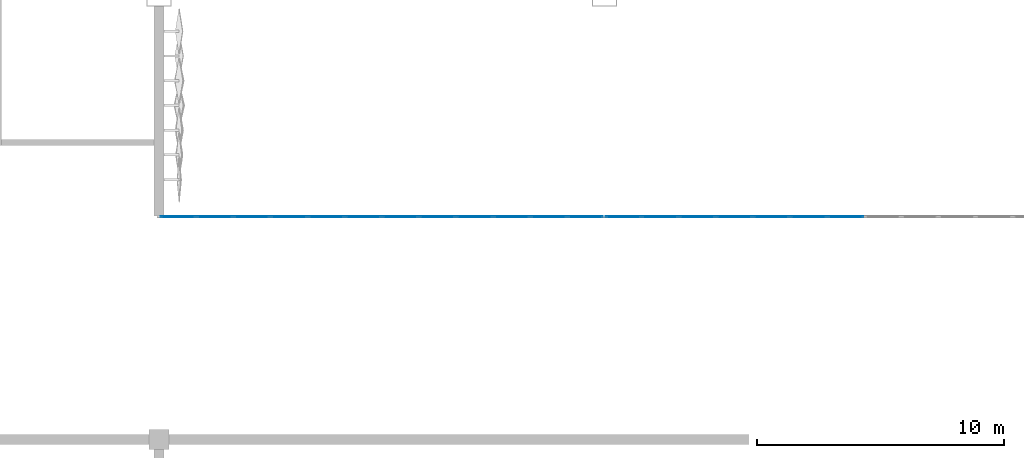
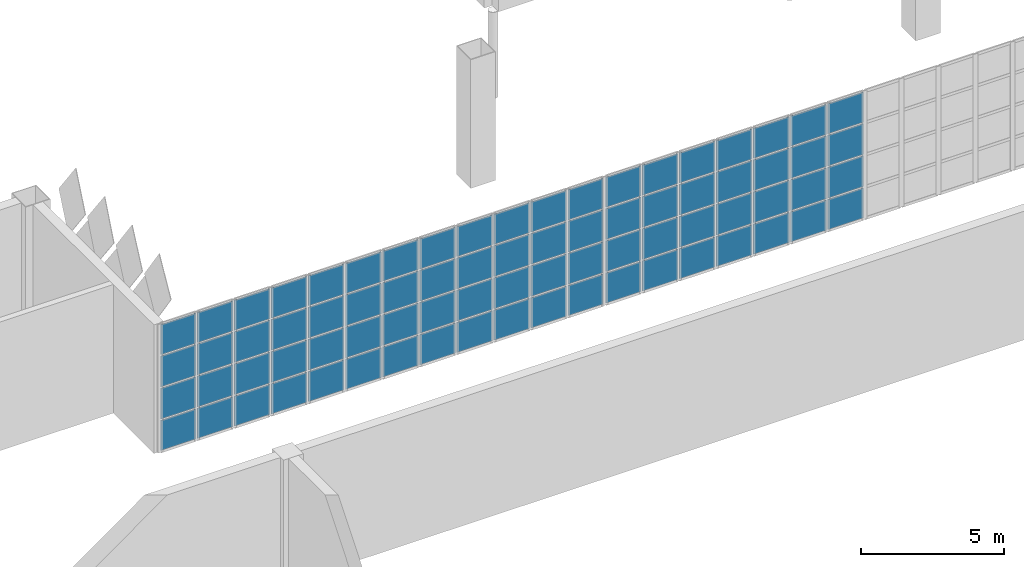
# One storey, part 91 of 185: 76 plates, 2 elements without a shape of their own.
"""IFC4 building model written with IfcOpenShell, lengths in metres."""

from ifc_helpers import new_model, si_unit, direction, frame, origin, origin_2d, place, context, subcontext, project, spatial, rectangle, extrude, material, layer, layer_set, type_object, element, aggregate, save


model = new_model("IFC4")

# Units and contexts
model_context = context("Model", 3, precision=1e-05, world=origin(), true_north=direction((0.0, 1.0)))
body_context = subcontext(model_context, "Body", "Model", "MODEL_VIEW")
ifc_project = project(units=[si_unit("LENGTHUNIT", "METRE"), si_unit("AREAUNIT", "SQUARE_METRE"), si_unit("VOLUMEUNIT", "CUBIC_METRE"), si_unit("PLANEANGLEUNIT", "RADIAN"), si_unit("MASSUNIT", "GRAM", prefix="KILO")], contexts=[model_context])

# Site, building, storey
site_placement = place(None, origin())
site = spatial("IfcSite", under=ifc_project, at=site_placement, CompositionType="ELEMENT")
building_placement = place(site_placement, origin())
building = spatial("IfcBuilding", under=site, at=building_placement, Name="Opaline Strait Convention Centre", CompositionType="ELEMENT")
storey_placement = place(building_placement, frame((0.0, 0.0, 6.0)))
storey = spatial("IfcBuildingStorey", under=building, at=storey_placement, Name="L01", CompositionType="ELEMENT", Elevation=6.0)

# Curtain wall, plates
ifc_material_1 = material(Name="Aluminium framed glazing", Category="aluminium")
ifc_layer_1 = layer(ifc_material_1, 0.199951171875)
ifc_layer_set_1 = layer_set([ifc_layer_1], Name="Aluminium framed glazing")
curtain_wall_type = type_object("IfcCurtainWallType", Name="Entrance curtain wall 1500", PredefinedType="NOTDEFINED", material=ifc_layer_set_1)
curtain_wall_1_placement = place(storey_placement, origin())
curtain_wall_1 = element("IfcCurtainWall", 1, at=curtain_wall_1_placement, inside=storey, type_object=curtain_wall_type, Name="Entrance curtain wall L01-R1", PredefinedType="NOTDEFINED")
ifc_material_2 = material(Name="Double glazed unit low emissivity", Category="glass")
ifc_layer_2 = layer(ifc_material_2, 0.028076171875)
ifc_layer_set_2 = layer_set([ifc_layer_2], Name="Double glazed unit low emissivity")
plate_type = type_object("IfcPlateType", Name="Curtain wall glass panel 28", PredefinedType="CURTAIN_PANEL", material=ifc_layer_set_2)
plate_1_placement = place(storey_placement, frame((153.764892578125, 144.0, 0.06005859375), z_axis=(0.0, 0.0, 1.0), x_axis=(1.0, 0.0, 0.0)))
plate_1 = element("IfcPlate", 2, at=plate_1_placement, type_object=plate_type, Name="XCW panel 1.1", PredefinedType="CURTAIN_PANEL", context=body_context, shape_type="SweptSolid", body=[
    extrude(rectangle(XDim=1.409912109375, YDim=0.028076171875, at=origin_2d()), origin(), (0.0, 0.0, 1.0), 1.284912109375),
])
plate_2_placement = place(storey_placement, frame((153.764892578125, 144.0, 1.405029296875), z_axis=(0.0, 0.0, 1.0), x_axis=(1.0, 0.0, 0.0)))
plate_2 = element("IfcPlate", 3, at=plate_2_placement, type_object=plate_type, Name="XCW panel 1.2", PredefinedType="CURTAIN_PANEL", context=body_context, shape_type="SweptSolid", body=[
    extrude(rectangle(XDim=1.409912109375, YDim=0.028076171875, at=origin_2d()), origin(), (0.0, 0.0, 1.0), 1.31494140625),
])
plate_3_placement = place(storey_placement, frame((153.764892578125, 144.0, 2.780029296875), z_axis=(0.0, 0.0, 1.0), x_axis=(1.0, 0.0, 0.0)))
plate_3 = element("IfcPlate", 4, at=plate_3_placement, type_object=plate_type, Name="XCW panel 1.3", PredefinedType="CURTAIN_PANEL", context=body_context, shape_type="SweptSolid", body=[
    extrude(rectangle(XDim=1.409912109375, YDim=0.028076171875, at=origin_2d()), origin(), (0.0, 0.0, 1.0), 1.31494140625),
])
plate_4_placement = place(storey_placement, frame((153.764892578125, 144.0, 4.1552734375), z_axis=(0.0, 0.0, 1.0), x_axis=(1.0, 0.0, 0.0)))
plate_4 = element("IfcPlate", 5, at=plate_4_placement, type_object=plate_type, Name="XCW panel 1.4", PredefinedType="CURTAIN_PANEL", context=body_context, shape_type="SweptSolid", body=[
    extrude(rectangle(XDim=1.409912109375, YDim=0.028076171875, at=origin_2d()), origin(), (0.0, 0.0, 1.0), 1.284912109375),
])
plate_5_placement = place(storey_placement, frame((155.25, 144.0, 0.06005859375), z_axis=(0.0, 0.0, 1.0), x_axis=(1.0, 0.0, 0.0)))
plate_5 = element("IfcPlate", 6, at=plate_5_placement, type_object=plate_type, Name="XCW panel 2.1", PredefinedType="CURTAIN_PANEL", context=body_context, shape_type="SweptSolid", body=[
    extrude(rectangle(XDim=1.43994140625, YDim=0.028076171875, at=origin_2d()), origin(), (0.0, 0.0, 1.0), 1.284912109375),
])
plate_6_placement = place(storey_placement, frame((155.25, 144.0, 1.405029296875), z_axis=(0.0, 0.0, 1.0), x_axis=(1.0, 0.0, 0.0)))
plate_6 = element("IfcPlate", 7, at=plate_6_placement, type_object=plate_type, Name="XCW panel 2.2", PredefinedType="CURTAIN_PANEL", context=body_context, shape_type="SweptSolid", body=[
    extrude(rectangle(XDim=1.43994140625, YDim=0.028076171875, at=origin_2d()), origin(), (0.0, 0.0, 1.0), 1.31494140625),
])
plate_7_placement = place(storey_placement, frame((155.25, 144.0, 2.780029296875), z_axis=(0.0, 0.0, 1.0), x_axis=(1.0, 0.0, 0.0)))
plate_7 = element("IfcPlate", 8, at=plate_7_placement, type_object=plate_type, Name="XCW panel 2.3", PredefinedType="CURTAIN_PANEL", context=body_context, shape_type="SweptSolid", body=[
    extrude(rectangle(XDim=1.43994140625, YDim=0.028076171875, at=origin_2d()), origin(), (0.0, 0.0, 1.0), 1.31494140625),
])
plate_8_placement = place(storey_placement, frame((155.25, 144.0, 4.1552734375), z_axis=(0.0, 0.0, 1.0), x_axis=(1.0, 0.0, 0.0)))
plate_8 = element("IfcPlate", 9, at=plate_8_placement, type_object=plate_type, Name="XCW panel 2.4", PredefinedType="CURTAIN_PANEL", context=body_context, shape_type="SweptSolid", body=[
    extrude(rectangle(XDim=1.43994140625, YDim=0.028076171875, at=origin_2d()), origin(), (0.0, 0.0, 1.0), 1.284912109375),
])
plate_9_placement = place(storey_placement, frame((156.75, 144.0, 0.06005859375), z_axis=(0.0, 0.0, 1.0), x_axis=(1.0, 0.0, 0.0)))
plate_9 = element("IfcPlate", 10, at=plate_9_placement, type_object=plate_type, Name="XCW panel 3.1", PredefinedType="CURTAIN_PANEL", context=body_context, shape_type="SweptSolid", body=[
    extrude(rectangle(XDim=1.43994140625, YDim=0.028076171875, at=origin_2d()), origin(), (0.0, 0.0, 1.0), 1.284912109375),
])
plate_10_placement = place(storey_placement, frame((156.75, 144.0, 1.405029296875), z_axis=(0.0, 0.0, 1.0), x_axis=(1.0, 0.0, 0.0)))
plate_10 = element("IfcPlate", 11, at=plate_10_placement, type_object=plate_type, Name="XCW panel 3.2", PredefinedType="CURTAIN_PANEL", context=body_context, shape_type="SweptSolid", body=[
    extrude(rectangle(XDim=1.43994140625, YDim=0.028076171875, at=origin_2d()), origin(), (0.0, 0.0, 1.0), 1.31494140625),
])
plate_11_placement = place(storey_placement, frame((156.75, 144.0, 2.780029296875), z_axis=(0.0, 0.0, 1.0), x_axis=(1.0, 0.0, 0.0)))
plate_11 = element("IfcPlate", 12, at=plate_11_placement, type_object=plate_type, Name="XCW panel 3.3", PredefinedType="CURTAIN_PANEL", context=body_context, shape_type="SweptSolid", body=[
    extrude(rectangle(XDim=1.43994140625, YDim=0.028076171875, at=origin_2d()), origin(), (0.0, 0.0, 1.0), 1.31494140625),
])
plate_12_placement = place(storey_placement, frame((156.75, 144.0, 4.1552734375), z_axis=(0.0, 0.0, 1.0), x_axis=(1.0, 0.0, 0.0)))
plate_12 = element("IfcPlate", 13, at=plate_12_placement, type_object=plate_type, Name="XCW panel 3.4", PredefinedType="CURTAIN_PANEL", context=body_context, shape_type="SweptSolid", body=[
    extrude(rectangle(XDim=1.43994140625, YDim=0.028076171875, at=origin_2d()), origin(), (0.0, 0.0, 1.0), 1.284912109375),
])
plate_13_placement = place(storey_placement, frame((158.25, 144.0, 0.06005859375), z_axis=(0.0, 0.0, 1.0), x_axis=(1.0, 0.0, 0.0)))
plate_13 = element("IfcPlate", 14, at=plate_13_placement, type_object=plate_type, Name="XCW panel 4.1", PredefinedType="CURTAIN_PANEL", context=body_context, shape_type="SweptSolid", body=[
    extrude(rectangle(XDim=1.43994140625, YDim=0.028076171875, at=origin_2d()), origin(), (0.0, 0.0, 1.0), 1.284912109375),
])
plate_14_placement = place(storey_placement, frame((158.25, 144.0, 1.405029296875), z_axis=(0.0, 0.0, 1.0), x_axis=(1.0, 0.0, 0.0)))
plate_14 = element("IfcPlate", 15, at=plate_14_placement, type_object=plate_type, Name="XCW panel 4.2", PredefinedType="CURTAIN_PANEL", context=body_context, shape_type="SweptSolid", body=[
    extrude(rectangle(XDim=1.43994140625, YDim=0.028076171875, at=origin_2d()), origin(), (0.0, 0.0, 1.0), 1.31494140625),
])
plate_15_placement = place(storey_placement, frame((158.25, 144.0, 2.780029296875), z_axis=(0.0, 0.0, 1.0), x_axis=(1.0, 0.0, 0.0)))
plate_15 = element("IfcPlate", 16, at=plate_15_placement, type_object=plate_type, Name="XCW panel 4.3", PredefinedType="CURTAIN_PANEL", context=body_context, shape_type="SweptSolid", body=[
    extrude(rectangle(XDim=1.43994140625, YDim=0.028076171875, at=origin_2d()), origin(), (0.0, 0.0, 1.0), 1.31494140625),
])
plate_16_placement = place(storey_placement, frame((158.25, 144.0, 4.1552734375), z_axis=(0.0, 0.0, 1.0), x_axis=(1.0, 0.0, 0.0)))
plate_16 = element("IfcPlate", 17, at=plate_16_placement, type_object=plate_type, Name="XCW panel 4.4", PredefinedType="CURTAIN_PANEL", context=body_context, shape_type="SweptSolid", body=[
    extrude(rectangle(XDim=1.43994140625, YDim=0.028076171875, at=origin_2d()), origin(), (0.0, 0.0, 1.0), 1.284912109375),
])
plate_17_placement = place(storey_placement, frame((159.75, 144.0, 0.06005859375), z_axis=(0.0, 0.0, 1.0), x_axis=(1.0, 0.0, 0.0)))
plate_17 = element("IfcPlate", 18, at=plate_17_placement, type_object=plate_type, Name="XCW panel 5.1", PredefinedType="CURTAIN_PANEL", context=body_context, shape_type="SweptSolid", body=[
    extrude(rectangle(XDim=1.43994140625, YDim=0.028076171875, at=origin_2d()), origin(), (0.0, 0.0, 1.0), 1.284912109375),
])
plate_18_placement = place(storey_placement, frame((159.75, 144.0, 1.405029296875), z_axis=(0.0, 0.0, 1.0), x_axis=(1.0, 0.0, 0.0)))
plate_18 = element("IfcPlate", 19, at=plate_18_placement, type_object=plate_type, Name="XCW panel 5.2", PredefinedType="CURTAIN_PANEL", context=body_context, shape_type="SweptSolid", body=[
    extrude(rectangle(XDim=1.43994140625, YDim=0.028076171875, at=origin_2d()), origin(), (0.0, 0.0, 1.0), 1.31494140625),
])
plate_19_placement = place(storey_placement, frame((159.75, 144.0, 2.780029296875), z_axis=(0.0, 0.0, 1.0), x_axis=(1.0, 0.0, 0.0)))
plate_19 = element("IfcPlate", 20, at=plate_19_placement, type_object=plate_type, Name="XCW panel 5.3", PredefinedType="CURTAIN_PANEL", context=body_context, shape_type="SweptSolid", body=[
    extrude(rectangle(XDim=1.43994140625, YDim=0.028076171875, at=origin_2d()), origin(), (0.0, 0.0, 1.0), 1.31494140625),
])
plate_20_placement = place(storey_placement, frame((159.75, 144.0, 4.1552734375), z_axis=(0.0, 0.0, 1.0), x_axis=(1.0, 0.0, 0.0)))
plate_20 = element("IfcPlate", 21, at=plate_20_placement, type_object=plate_type, Name="XCW panel 5.4", PredefinedType="CURTAIN_PANEL", context=body_context, shape_type="SweptSolid", body=[
    extrude(rectangle(XDim=1.43994140625, YDim=0.028076171875, at=origin_2d()), origin(), (0.0, 0.0, 1.0), 1.284912109375),
])
plate_21_placement = place(storey_placement, frame((161.25, 144.0, 0.06005859375), z_axis=(0.0, 0.0, 1.0), x_axis=(1.0, 0.0, 0.0)))
plate_21 = element("IfcPlate", 22, at=plate_21_placement, type_object=plate_type, Name="XCW panel 6.1", PredefinedType="CURTAIN_PANEL", context=body_context, shape_type="SweptSolid", body=[
    extrude(rectangle(XDim=1.43994140625, YDim=0.028076171875, at=origin_2d()), origin(), (0.0, 0.0, 1.0), 1.284912109375),
])
plate_22_placement = place(storey_placement, frame((161.25, 144.0, 1.405029296875), z_axis=(0.0, 0.0, 1.0), x_axis=(1.0, 0.0, 0.0)))
plate_22 = element("IfcPlate", 23, at=plate_22_placement, type_object=plate_type, Name="XCW panel 6.2", PredefinedType="CURTAIN_PANEL", context=body_context, shape_type="SweptSolid", body=[
    extrude(rectangle(XDim=1.43994140625, YDim=0.028076171875, at=origin_2d()), origin(), (0.0, 0.0, 1.0), 1.31494140625),
])
plate_23_placement = place(storey_placement, frame((161.25, 144.0, 2.780029296875), z_axis=(0.0, 0.0, 1.0), x_axis=(1.0, 0.0, 0.0)))
plate_23 = element("IfcPlate", 24, at=plate_23_placement, type_object=plate_type, Name="XCW panel 6.3", PredefinedType="CURTAIN_PANEL", context=body_context, shape_type="SweptSolid", body=[
    extrude(rectangle(XDim=1.43994140625, YDim=0.028076171875, at=origin_2d()), origin(), (0.0, 0.0, 1.0), 1.31494140625),
])
plate_24_placement = place(storey_placement, frame((161.25, 144.0, 4.1552734375), z_axis=(0.0, 0.0, 1.0), x_axis=(1.0, 0.0, 0.0)))
plate_24 = element("IfcPlate", 25, at=plate_24_placement, type_object=plate_type, Name="XCW panel 6.4", PredefinedType="CURTAIN_PANEL", context=body_context, shape_type="SweptSolid", body=[
    extrude(rectangle(XDim=1.43994140625, YDim=0.028076171875, at=origin_2d()), origin(), (0.0, 0.0, 1.0), 1.284912109375),
])
plate_25_placement = place(storey_placement, frame((162.75, 144.0, 0.06005859375), z_axis=(0.0, 0.0, 1.0), x_axis=(1.0, 0.0, 0.0)))
plate_25 = element("IfcPlate", 26, at=plate_25_placement, type_object=plate_type, Name="XCW panel 7.1", PredefinedType="CURTAIN_PANEL", context=body_context, shape_type="SweptSolid", body=[
    extrude(rectangle(XDim=1.43994140625, YDim=0.028076171875, at=origin_2d()), origin(), (0.0, 0.0, 1.0), 1.284912109375),
])
plate_26_placement = place(storey_placement, frame((162.75, 144.0, 1.405029296875), z_axis=(0.0, 0.0, 1.0), x_axis=(1.0, 0.0, 0.0)))
plate_26 = element("IfcPlate", 27, at=plate_26_placement, type_object=plate_type, Name="XCW panel 7.2", PredefinedType="CURTAIN_PANEL", context=body_context, shape_type="SweptSolid", body=[
    extrude(rectangle(XDim=1.43994140625, YDim=0.028076171875, at=origin_2d()), origin(), (0.0, 0.0, 1.0), 1.31494140625),
])
plate_27_placement = place(storey_placement, frame((162.75, 144.0, 2.780029296875), z_axis=(0.0, 0.0, 1.0), x_axis=(1.0, 0.0, 0.0)))
plate_27 = element("IfcPlate", 28, at=plate_27_placement, type_object=plate_type, Name="XCW panel 7.3", PredefinedType="CURTAIN_PANEL", context=body_context, shape_type="SweptSolid", body=[
    extrude(rectangle(XDim=1.43994140625, YDim=0.028076171875, at=origin_2d()), origin(), (0.0, 0.0, 1.0), 1.31494140625),
])
plate_28_placement = place(storey_placement, frame((162.75, 144.0, 4.1552734375), z_axis=(0.0, 0.0, 1.0), x_axis=(1.0, 0.0, 0.0)))
plate_28 = element("IfcPlate", 29, at=plate_28_placement, type_object=plate_type, Name="XCW panel 7.4", PredefinedType="CURTAIN_PANEL", context=body_context, shape_type="SweptSolid", body=[
    extrude(rectangle(XDim=1.43994140625, YDim=0.028076171875, at=origin_2d()), origin(), (0.0, 0.0, 1.0), 1.284912109375),
])
plate_29_placement = place(storey_placement, frame((164.25, 144.0, 0.06005859375), z_axis=(0.0, 0.0, 1.0), x_axis=(1.0, 0.0, 0.0)))
plate_29 = element("IfcPlate", 30, at=plate_29_placement, type_object=plate_type, Name="XCW panel 8.1", PredefinedType="CURTAIN_PANEL", context=body_context, shape_type="SweptSolid", body=[
    extrude(rectangle(XDim=1.43994140625, YDim=0.028076171875, at=origin_2d()), origin(), (0.0, 0.0, 1.0), 1.284912109375),
])
plate_30_placement = place(storey_placement, frame((164.25, 144.0, 1.405029296875), z_axis=(0.0, 0.0, 1.0), x_axis=(1.0, 0.0, 0.0)))
plate_30 = element("IfcPlate", 31, at=plate_30_placement, type_object=plate_type, Name="XCW panel 8.2", PredefinedType="CURTAIN_PANEL", context=body_context, shape_type="SweptSolid", body=[
    extrude(rectangle(XDim=1.43994140625, YDim=0.028076171875, at=origin_2d()), origin(), (0.0, 0.0, 1.0), 1.31494140625),
])
plate_31_placement = place(storey_placement, frame((164.25, 144.0, 2.780029296875), z_axis=(0.0, 0.0, 1.0), x_axis=(1.0, 0.0, 0.0)))
plate_31 = element("IfcPlate", 32, at=plate_31_placement, type_object=plate_type, Name="XCW panel 8.3", PredefinedType="CURTAIN_PANEL", context=body_context, shape_type="SweptSolid", body=[
    extrude(rectangle(XDim=1.43994140625, YDim=0.028076171875, at=origin_2d()), origin(), (0.0, 0.0, 1.0), 1.31494140625),
])
plate_32_placement = place(storey_placement, frame((164.25, 144.0, 4.1552734375), z_axis=(0.0, 0.0, 1.0), x_axis=(1.0, 0.0, 0.0)))
plate_32 = element("IfcPlate", 33, at=plate_32_placement, type_object=plate_type, Name="XCW panel 8.4", PredefinedType="CURTAIN_PANEL", context=body_context, shape_type="SweptSolid", body=[
    extrude(rectangle(XDim=1.43994140625, YDim=0.028076171875, at=origin_2d()), origin(), (0.0, 0.0, 1.0), 1.284912109375),
])
plate_33_placement = place(storey_placement, frame((165.75, 144.0, 0.06005859375), z_axis=(0.0, 0.0, 1.0), x_axis=(1.0, 0.0, 0.0)))
plate_33 = element("IfcPlate", 34, at=plate_33_placement, type_object=plate_type, Name="XCW panel 9.1", PredefinedType="CURTAIN_PANEL", context=body_context, shape_type="SweptSolid", body=[
    extrude(rectangle(XDim=1.43994140625, YDim=0.028076171875, at=origin_2d()), origin(), (0.0, 0.0, 1.0), 1.284912109375),
])
plate_34_placement = place(storey_placement, frame((165.75, 144.0, 1.405029296875), z_axis=(0.0, 0.0, 1.0), x_axis=(1.0, 0.0, 0.0)))
plate_34 = element("IfcPlate", 35, at=plate_34_placement, type_object=plate_type, Name="XCW panel 9.2", PredefinedType="CURTAIN_PANEL", context=body_context, shape_type="SweptSolid", body=[
    extrude(rectangle(XDim=1.43994140625, YDim=0.028076171875, at=origin_2d()), origin(), (0.0, 0.0, 1.0), 1.31494140625),
])
plate_35_placement = place(storey_placement, frame((165.75, 144.0, 2.780029296875), z_axis=(0.0, 0.0, 1.0), x_axis=(1.0, 0.0, 0.0)))
plate_35 = element("IfcPlate", 36, at=plate_35_placement, type_object=plate_type, Name="XCW panel 9.3", PredefinedType="CURTAIN_PANEL", context=body_context, shape_type="SweptSolid", body=[
    extrude(rectangle(XDim=1.43994140625, YDim=0.028076171875, at=origin_2d()), origin(), (0.0, 0.0, 1.0), 1.31494140625),
])
plate_36_placement = place(storey_placement, frame((165.75, 144.0, 4.1552734375), z_axis=(0.0, 0.0, 1.0), x_axis=(1.0, 0.0, 0.0)))
plate_36 = element("IfcPlate", 37, at=plate_36_placement, type_object=plate_type, Name="XCW panel 9.4", PredefinedType="CURTAIN_PANEL", context=body_context, shape_type="SweptSolid", body=[
    extrude(rectangle(XDim=1.43994140625, YDim=0.028076171875, at=origin_2d()), origin(), (0.0, 0.0, 1.0), 1.284912109375),
])
plate_37_placement = place(storey_placement, frame((167.25, 144.0, 0.06005859375), z_axis=(0.0, 0.0, 1.0), x_axis=(1.0, 0.0, 0.0)))
plate_37 = element("IfcPlate", 38, at=plate_37_placement, type_object=plate_type, Name="XCW panel 10.1", PredefinedType="CURTAIN_PANEL", context=body_context, shape_type="SweptSolid", body=[
    extrude(rectangle(XDim=1.43994140625, YDim=0.028076171875, at=origin_2d()), origin(), (0.0, 0.0, 1.0), 1.284912109375),
])
plate_38_placement = place(storey_placement, frame((167.25, 144.0, 1.405029296875), z_axis=(0.0, 0.0, 1.0), x_axis=(1.0, 0.0, 0.0)))
plate_38 = element("IfcPlate", 39, at=plate_38_placement, type_object=plate_type, Name="XCW panel 10.2", PredefinedType="CURTAIN_PANEL", context=body_context, shape_type="SweptSolid", body=[
    extrude(rectangle(XDim=1.43994140625, YDim=0.028076171875, at=origin_2d()), origin(), (0.0, 0.0, 1.0), 1.31494140625),
])
plate_39_placement = place(storey_placement, frame((167.25, 144.0, 2.780029296875), z_axis=(0.0, 0.0, 1.0), x_axis=(1.0, 0.0, 0.0)))
plate_39 = element("IfcPlate", 40, at=plate_39_placement, type_object=plate_type, Name="XCW panel 10.3", PredefinedType="CURTAIN_PANEL", context=body_context, shape_type="SweptSolid", body=[
    extrude(rectangle(XDim=1.43994140625, YDim=0.028076171875, at=origin_2d()), origin(), (0.0, 0.0, 1.0), 1.31494140625),
])
plate_40_placement = place(storey_placement, frame((167.25, 144.0, 4.1552734375), z_axis=(0.0, 0.0, 1.0), x_axis=(1.0, 0.0, 0.0)))
plate_40 = element("IfcPlate", 41, at=plate_40_placement, type_object=plate_type, Name="XCW panel 10.4", PredefinedType="CURTAIN_PANEL", context=body_context, shape_type="SweptSolid", body=[
    extrude(rectangle(XDim=1.43994140625, YDim=0.028076171875, at=origin_2d()), origin(), (0.0, 0.0, 1.0), 1.284912109375),
])
plate_41_placement = place(storey_placement, frame((168.75, 144.0, 0.06005859375), z_axis=(0.0, 0.0, 1.0), x_axis=(1.0, 0.0, 0.0)))
plate_41 = element("IfcPlate", 42, at=plate_41_placement, type_object=plate_type, Name="XCW panel 11.1", PredefinedType="CURTAIN_PANEL", context=body_context, shape_type="SweptSolid", body=[
    extrude(rectangle(XDim=1.43994140625, YDim=0.028076171875, at=origin_2d()), origin(), (0.0, 0.0, 1.0), 1.284912109375),
])
plate_42_placement = place(storey_placement, frame((168.75, 144.0, 1.405029296875), z_axis=(0.0, 0.0, 1.0), x_axis=(1.0, 0.0, 0.0)))
plate_42 = element("IfcPlate", 43, at=plate_42_placement, type_object=plate_type, Name="XCW panel 11.2", PredefinedType="CURTAIN_PANEL", context=body_context, shape_type="SweptSolid", body=[
    extrude(rectangle(XDim=1.43994140625, YDim=0.028076171875, at=origin_2d()), origin(), (0.0, 0.0, 1.0), 1.31494140625),
])
plate_43_placement = place(storey_placement, frame((168.75, 144.0, 2.780029296875), z_axis=(0.0, 0.0, 1.0), x_axis=(1.0, 0.0, 0.0)))
plate_43 = element("IfcPlate", 44, at=plate_43_placement, type_object=plate_type, Name="XCW panel 11.3", PredefinedType="CURTAIN_PANEL", context=body_context, shape_type="SweptSolid", body=[
    extrude(rectangle(XDim=1.43994140625, YDim=0.028076171875, at=origin_2d()), origin(), (0.0, 0.0, 1.0), 1.31494140625),
])
plate_44_placement = place(storey_placement, frame((168.75, 144.0, 4.1552734375), z_axis=(0.0, 0.0, 1.0), x_axis=(1.0, 0.0, 0.0)))
plate_44 = element("IfcPlate", 45, at=plate_44_placement, type_object=plate_type, Name="XCW panel 11.4", PredefinedType="CURTAIN_PANEL", context=body_context, shape_type="SweptSolid", body=[
    extrude(rectangle(XDim=1.43994140625, YDim=0.028076171875, at=origin_2d()), origin(), (0.0, 0.0, 1.0), 1.284912109375),
])
plate_45_placement = place(storey_placement, frame((170.235107421875, 144.0, 0.06005859375), z_axis=(0.0, 0.0, 1.0), x_axis=(1.0, 0.0, 0.0)))
plate_45 = element("IfcPlate", 46, at=plate_45_placement, type_object=plate_type, Name="XCW panel 12.1", PredefinedType="CURTAIN_PANEL", context=body_context, shape_type="SweptSolid", body=[
    extrude(rectangle(XDim=1.409912109375, YDim=0.028076171875, at=origin_2d()), origin(), (0.0, 0.0, 1.0), 1.284912109375),
])
plate_46_placement = place(storey_placement, frame((170.235107421875, 144.0, 1.405029296875), z_axis=(0.0, 0.0, 1.0), x_axis=(1.0, 0.0, 0.0)))
plate_46 = element("IfcPlate", 47, at=plate_46_placement, type_object=plate_type, Name="XCW panel 12.2", PredefinedType="CURTAIN_PANEL", context=body_context, shape_type="SweptSolid", body=[
    extrude(rectangle(XDim=1.409912109375, YDim=0.028076171875, at=origin_2d()), origin(), (0.0, 0.0, 1.0), 1.31494140625),
])
plate_47_placement = place(storey_placement, frame((170.235107421875, 144.0, 2.780029296875), z_axis=(0.0, 0.0, 1.0), x_axis=(1.0, 0.0, 0.0)))
plate_47 = element("IfcPlate", 48, at=plate_47_placement, type_object=plate_type, Name="XCW panel 12.3", PredefinedType="CURTAIN_PANEL", context=body_context, shape_type="SweptSolid", body=[
    extrude(rectangle(XDim=1.409912109375, YDim=0.028076171875, at=origin_2d()), origin(), (0.0, 0.0, 1.0), 1.31494140625),
])
plate_48_placement = place(storey_placement, frame((170.235107421875, 144.0, 4.1552734375), z_axis=(0.0, 0.0, 1.0), x_axis=(1.0, 0.0, 0.0)))
plate_48 = element("IfcPlate", 49, at=plate_48_placement, type_object=plate_type, Name="XCW panel 12.4", PredefinedType="CURTAIN_PANEL", context=body_context, shape_type="SweptSolid", body=[
    extrude(rectangle(XDim=1.409912109375, YDim=0.028076171875, at=origin_2d()), origin(), (0.0, 0.0, 1.0), 1.284912109375),
])
aggregate(curtain_wall_1, [plate_1, plate_2, plate_3, plate_4, plate_5, plate_6, plate_7, plate_8, plate_9, plate_10, plate_11, plate_12, plate_13, plate_14, plate_15, plate_16, plate_17, plate_18, plate_19, plate_20, plate_21, plate_22, plate_23, plate_24, plate_25, plate_26, plate_27, plate_28, plate_29, plate_30, plate_31, plate_32, plate_33, plate_34, plate_35, plate_36, plate_37, plate_38, plate_39, plate_40, plate_41, plate_42, plate_43, plate_44, plate_45, plate_46, plate_47, plate_48])

curtain_wall_2_placement = place(storey_placement, origin())
curtain_wall_2 = element("IfcCurtainWall", 50, at=curtain_wall_2_placement, inside=storey, type_object=curtain_wall_type, Name="Entrance curtain wall L01-R2", PredefinedType="NOTDEFINED")
plate_49_placement = place(storey_placement, frame((171.764892578125, 144.0, 0.06005859375), z_axis=(0.0, 0.0, 1.0), x_axis=(1.0, 0.0, 0.0)))
plate_49 = element("IfcPlate", 51, at=plate_49_placement, type_object=plate_type, Name="XCW panel 1.1", PredefinedType="CURTAIN_PANEL", context=body_context, shape_type="SweptSolid", body=[
    extrude(rectangle(XDim=1.409912109375, YDim=0.028076171875, at=origin_2d()), origin(), (0.0, 0.0, 1.0), 1.284912109375),
])
plate_50_placement = place(storey_placement, frame((171.764892578125, 144.0, 1.405029296875), z_axis=(0.0, 0.0, 1.0), x_axis=(1.0, 0.0, 0.0)))
plate_50 = element("IfcPlate", 52, at=plate_50_placement, type_object=plate_type, Name="XCW panel 1.2", PredefinedType="CURTAIN_PANEL", context=body_context, shape_type="SweptSolid", body=[
    extrude(rectangle(XDim=1.409912109375, YDim=0.028076171875, at=origin_2d()), origin(), (0.0, 0.0, 1.0), 1.31494140625),
])
plate_51_placement = place(storey_placement, frame((171.764892578125, 144.0, 2.780029296875), z_axis=(0.0, 0.0, 1.0), x_axis=(1.0, 0.0, 0.0)))
plate_51 = element("IfcPlate", 53, at=plate_51_placement, type_object=plate_type, Name="XCW panel 1.3", PredefinedType="CURTAIN_PANEL", context=body_context, shape_type="SweptSolid", body=[
    extrude(rectangle(XDim=1.409912109375, YDim=0.028076171875, at=origin_2d()), origin(), (0.0, 0.0, 1.0), 1.31494140625),
])
plate_52_placement = place(storey_placement, frame((171.764892578125, 144.0, 4.1552734375), z_axis=(0.0, 0.0, 1.0), x_axis=(1.0, 0.0, 0.0)))
plate_52 = element("IfcPlate", 54, at=plate_52_placement, type_object=plate_type, Name="XCW panel 1.4", PredefinedType="CURTAIN_PANEL", context=body_context, shape_type="SweptSolid", body=[
    extrude(rectangle(XDim=1.409912109375, YDim=0.028076171875, at=origin_2d()), origin(), (0.0, 0.0, 1.0), 1.284912109375),
])
plate_53_placement = place(storey_placement, frame((173.25, 144.0, 0.06005859375), z_axis=(0.0, 0.0, 1.0), x_axis=(1.0, 0.0, 0.0)))
plate_53 = element("IfcPlate", 55, at=plate_53_placement, type_object=plate_type, Name="XCW panel 2.1", PredefinedType="CURTAIN_PANEL", context=body_context, shape_type="SweptSolid", body=[
    extrude(rectangle(XDim=1.43994140625, YDim=0.028076171875, at=origin_2d()), origin(), (0.0, 0.0, 1.0), 1.284912109375),
])
plate_54_placement = place(storey_placement, frame((173.25, 144.0, 1.405029296875), z_axis=(0.0, 0.0, 1.0), x_axis=(1.0, 0.0, 0.0)))
plate_54 = element("IfcPlate", 56, at=plate_54_placement, type_object=plate_type, Name="XCW panel 2.2", PredefinedType="CURTAIN_PANEL", context=body_context, shape_type="SweptSolid", body=[
    extrude(rectangle(XDim=1.43994140625, YDim=0.028076171875, at=origin_2d()), origin(), (0.0, 0.0, 1.0), 1.31494140625),
])
plate_55_placement = place(storey_placement, frame((173.25, 144.0, 2.780029296875), z_axis=(0.0, 0.0, 1.0), x_axis=(1.0, 0.0, 0.0)))
plate_55 = element("IfcPlate", 57, at=plate_55_placement, type_object=plate_type, Name="XCW panel 2.3", PredefinedType="CURTAIN_PANEL", context=body_context, shape_type="SweptSolid", body=[
    extrude(rectangle(XDim=1.43994140625, YDim=0.028076171875, at=origin_2d()), origin(), (0.0, 0.0, 1.0), 1.31494140625),
])
plate_56_placement = place(storey_placement, frame((173.25, 144.0, 4.1552734375), z_axis=(0.0, 0.0, 1.0), x_axis=(1.0, 0.0, 0.0)))
plate_56 = element("IfcPlate", 58, at=plate_56_placement, type_object=plate_type, Name="XCW panel 2.4", PredefinedType="CURTAIN_PANEL", context=body_context, shape_type="SweptSolid", body=[
    extrude(rectangle(XDim=1.43994140625, YDim=0.028076171875, at=origin_2d()), origin(), (0.0, 0.0, 1.0), 1.284912109375),
])
plate_57_placement = place(storey_placement, frame((174.75, 144.0, 0.06005859375), z_axis=(0.0, 0.0, 1.0), x_axis=(1.0, 0.0, 0.0)))
plate_57 = element("IfcPlate", 59, at=plate_57_placement, type_object=plate_type, Name="XCW panel 3.1", PredefinedType="CURTAIN_PANEL", context=body_context, shape_type="SweptSolid", body=[
    extrude(rectangle(XDim=1.43994140625, YDim=0.028076171875, at=origin_2d()), origin(), (0.0, 0.0, 1.0), 1.284912109375),
])
plate_58_placement = place(storey_placement, frame((174.75, 144.0, 1.405029296875), z_axis=(0.0, 0.0, 1.0), x_axis=(1.0, 0.0, 0.0)))
plate_58 = element("IfcPlate", 60, at=plate_58_placement, type_object=plate_type, Name="XCW panel 3.2", PredefinedType="CURTAIN_PANEL", context=body_context, shape_type="SweptSolid", body=[
    extrude(rectangle(XDim=1.43994140625, YDim=0.028076171875, at=origin_2d()), origin(), (0.0, 0.0, 1.0), 1.31494140625),
])
plate_59_placement = place(storey_placement, frame((174.75, 144.0, 2.780029296875), z_axis=(0.0, 0.0, 1.0), x_axis=(1.0, 0.0, 0.0)))
plate_59 = element("IfcPlate", 61, at=plate_59_placement, type_object=plate_type, Name="XCW panel 3.3", PredefinedType="CURTAIN_PANEL", context=body_context, shape_type="SweptSolid", body=[
    extrude(rectangle(XDim=1.43994140625, YDim=0.028076171875, at=origin_2d()), origin(), (0.0, 0.0, 1.0), 1.31494140625),
])
plate_60_placement = place(storey_placement, frame((174.75, 144.0, 4.1552734375), z_axis=(0.0, 0.0, 1.0), x_axis=(1.0, 0.0, 0.0)))
plate_60 = element("IfcPlate", 62, at=plate_60_placement, type_object=plate_type, Name="XCW panel 3.4", PredefinedType="CURTAIN_PANEL", context=body_context, shape_type="SweptSolid", body=[
    extrude(rectangle(XDim=1.43994140625, YDim=0.028076171875, at=origin_2d()), origin(), (0.0, 0.0, 1.0), 1.284912109375),
])
plate_61_placement = place(storey_placement, frame((176.25, 144.0, 0.06005859375), z_axis=(0.0, 0.0, 1.0), x_axis=(1.0, 0.0, 0.0)))
plate_61 = element("IfcPlate", 63, at=plate_61_placement, type_object=plate_type, Name="XCW panel 4.1", PredefinedType="CURTAIN_PANEL", context=body_context, shape_type="SweptSolid", body=[
    extrude(rectangle(XDim=1.43994140625, YDim=0.028076171875, at=origin_2d()), origin(), (0.0, 0.0, 1.0), 1.284912109375),
])
plate_62_placement = place(storey_placement, frame((176.25, 144.0, 1.405029296875), z_axis=(0.0, 0.0, 1.0), x_axis=(1.0, 0.0, 0.0)))
plate_62 = element("IfcPlate", 64, at=plate_62_placement, type_object=plate_type, Name="XCW panel 4.2", PredefinedType="CURTAIN_PANEL", context=body_context, shape_type="SweptSolid", body=[
    extrude(rectangle(XDim=1.43994140625, YDim=0.028076171875, at=origin_2d()), origin(), (0.0, 0.0, 1.0), 1.31494140625),
])
plate_63_placement = place(storey_placement, frame((176.25, 144.0, 2.780029296875), z_axis=(0.0, 0.0, 1.0), x_axis=(1.0, 0.0, 0.0)))
plate_63 = element("IfcPlate", 65, at=plate_63_placement, type_object=plate_type, Name="XCW panel 4.3", PredefinedType="CURTAIN_PANEL", context=body_context, shape_type="SweptSolid", body=[
    extrude(rectangle(XDim=1.43994140625, YDim=0.028076171875, at=origin_2d()), origin(), (0.0, 0.0, 1.0), 1.31494140625),
])
plate_64_placement = place(storey_placement, frame((176.25, 144.0, 4.1552734375), z_axis=(0.0, 0.0, 1.0), x_axis=(1.0, 0.0, 0.0)))
plate_64 = element("IfcPlate", 66, at=plate_64_placement, type_object=plate_type, Name="XCW panel 4.4", PredefinedType="CURTAIN_PANEL", context=body_context, shape_type="SweptSolid", body=[
    extrude(rectangle(XDim=1.43994140625, YDim=0.028076171875, at=origin_2d()), origin(), (0.0, 0.0, 1.0), 1.284912109375),
])
plate_65_placement = place(storey_placement, frame((177.75, 144.0, 0.06005859375), z_axis=(0.0, 0.0, 1.0), x_axis=(1.0, 0.0, 0.0)))
plate_65 = element("IfcPlate", 67, at=plate_65_placement, type_object=plate_type, Name="XCW panel 5.1", PredefinedType="CURTAIN_PANEL", context=body_context, shape_type="SweptSolid", body=[
    extrude(rectangle(XDim=1.43994140625, YDim=0.028076171875, at=origin_2d()), origin(), (0.0, 0.0, 1.0), 1.284912109375),
])
plate_66_placement = place(storey_placement, frame((177.75, 144.0, 1.405029296875), z_axis=(0.0, 0.0, 1.0), x_axis=(1.0, 0.0, 0.0)))
plate_66 = element("IfcPlate", 68, at=plate_66_placement, type_object=plate_type, Name="XCW panel 5.2", PredefinedType="CURTAIN_PANEL", context=body_context, shape_type="SweptSolid", body=[
    extrude(rectangle(XDim=1.43994140625, YDim=0.028076171875, at=origin_2d()), origin(), (0.0, 0.0, 1.0), 1.31494140625),
])
plate_67_placement = place(storey_placement, frame((177.75, 144.0, 2.780029296875), z_axis=(0.0, 0.0, 1.0), x_axis=(1.0, 0.0, 0.0)))
plate_67 = element("IfcPlate", 69, at=plate_67_placement, type_object=plate_type, Name="XCW panel 5.3", PredefinedType="CURTAIN_PANEL", context=body_context, shape_type="SweptSolid", body=[
    extrude(rectangle(XDim=1.43994140625, YDim=0.028076171875, at=origin_2d()), origin(), (0.0, 0.0, 1.0), 1.31494140625),
])
plate_68_placement = place(storey_placement, frame((177.75, 144.0, 4.1552734375), z_axis=(0.0, 0.0, 1.0), x_axis=(1.0, 0.0, 0.0)))
plate_68 = element("IfcPlate", 70, at=plate_68_placement, type_object=plate_type, Name="XCW panel 5.4", PredefinedType="CURTAIN_PANEL", context=body_context, shape_type="SweptSolid", body=[
    extrude(rectangle(XDim=1.43994140625, YDim=0.028076171875, at=origin_2d()), origin(), (0.0, 0.0, 1.0), 1.284912109375),
])
plate_69_placement = place(storey_placement, frame((179.25, 144.0, 0.06005859375), z_axis=(0.0, 0.0, 1.0), x_axis=(1.0, 0.0, 0.0)))
plate_69 = element("IfcPlate", 71, at=plate_69_placement, type_object=plate_type, Name="XCW panel 6.1", PredefinedType="CURTAIN_PANEL", context=body_context, shape_type="SweptSolid", body=[
    extrude(rectangle(XDim=1.43994140625, YDim=0.028076171875, at=origin_2d()), origin(), (0.0, 0.0, 1.0), 1.284912109375),
])
plate_70_placement = place(storey_placement, frame((179.25, 144.0, 1.405029296875), z_axis=(0.0, 0.0, 1.0), x_axis=(1.0, 0.0, 0.0)))
plate_70 = element("IfcPlate", 72, at=plate_70_placement, type_object=plate_type, Name="XCW panel 6.2", PredefinedType="CURTAIN_PANEL", context=body_context, shape_type="SweptSolid", body=[
    extrude(rectangle(XDim=1.43994140625, YDim=0.028076171875, at=origin_2d()), origin(), (0.0, 0.0, 1.0), 1.31494140625),
])
plate_71_placement = place(storey_placement, frame((179.25, 144.0, 2.780029296875), z_axis=(0.0, 0.0, 1.0), x_axis=(1.0, 0.0, 0.0)))
plate_71 = element("IfcPlate", 73, at=plate_71_placement, type_object=plate_type, Name="XCW panel 6.3", PredefinedType="CURTAIN_PANEL", context=body_context, shape_type="SweptSolid", body=[
    extrude(rectangle(XDim=1.43994140625, YDim=0.028076171875, at=origin_2d()), origin(), (0.0, 0.0, 1.0), 1.31494140625),
])
plate_72_placement = place(storey_placement, frame((179.25, 144.0, 4.1552734375), z_axis=(0.0, 0.0, 1.0), x_axis=(1.0, 0.0, 0.0)))
plate_72 = element("IfcPlate", 74, at=plate_72_placement, type_object=plate_type, Name="XCW panel 6.4", PredefinedType="CURTAIN_PANEL", context=body_context, shape_type="SweptSolid", body=[
    extrude(rectangle(XDim=1.43994140625, YDim=0.028076171875, at=origin_2d()), origin(), (0.0, 0.0, 1.0), 1.284912109375),
])
plate_73_placement = place(storey_placement, frame((180.75, 144.0, 0.06005859375), z_axis=(0.0, 0.0, 1.0), x_axis=(1.0, 0.0, 0.0)))
plate_73 = element("IfcPlate", 75, at=plate_73_placement, type_object=plate_type, Name="XCW panel 7.1", PredefinedType="CURTAIN_PANEL", context=body_context, shape_type="SweptSolid", body=[
    extrude(rectangle(XDim=1.43994140625, YDim=0.028076171875, at=origin_2d()), origin(), (0.0, 0.0, 1.0), 1.284912109375),
])
plate_74_placement = place(storey_placement, frame((180.75, 144.0, 1.405029296875), z_axis=(0.0, 0.0, 1.0), x_axis=(1.0, 0.0, 0.0)))
plate_74 = element("IfcPlate", 76, at=plate_74_placement, type_object=plate_type, Name="XCW panel 7.2", PredefinedType="CURTAIN_PANEL", context=body_context, shape_type="SweptSolid", body=[
    extrude(rectangle(XDim=1.43994140625, YDim=0.028076171875, at=origin_2d()), origin(), (0.0, 0.0, 1.0), 1.31494140625),
])
plate_75_placement = place(storey_placement, frame((180.75, 144.0, 2.780029296875), z_axis=(0.0, 0.0, 1.0), x_axis=(1.0, 0.0, 0.0)))
plate_75 = element("IfcPlate", 77, at=plate_75_placement, type_object=plate_type, Name="XCW panel 7.3", PredefinedType="CURTAIN_PANEL", context=body_context, shape_type="SweptSolid", body=[
    extrude(rectangle(XDim=1.43994140625, YDim=0.028076171875, at=origin_2d()), origin(), (0.0, 0.0, 1.0), 1.31494140625),
])
plate_76_placement = place(storey_placement, frame((180.75, 144.0, 4.1552734375), z_axis=(0.0, 0.0, 1.0), x_axis=(1.0, 0.0, 0.0)))
plate_76 = element("IfcPlate", 78, at=plate_76_placement, type_object=plate_type, Name="XCW panel 7.4", PredefinedType="CURTAIN_PANEL", context=body_context, shape_type="SweptSolid", body=[
    extrude(rectangle(XDim=1.43994140625, YDim=0.028076171875, at=origin_2d()), origin(), (0.0, 0.0, 1.0), 1.284912109375),
])
aggregate(curtain_wall_2, [plate_49, plate_50, plate_51, plate_52, plate_53, plate_54, plate_55, plate_56, plate_57, plate_58, plate_59, plate_60, plate_61, plate_62, plate_63, plate_64, plate_65, plate_66, plate_67, plate_68, plate_69, plate_70, plate_71, plate_72, plate_73, plate_74, plate_75, plate_76])

save(model, "model.ifc")
